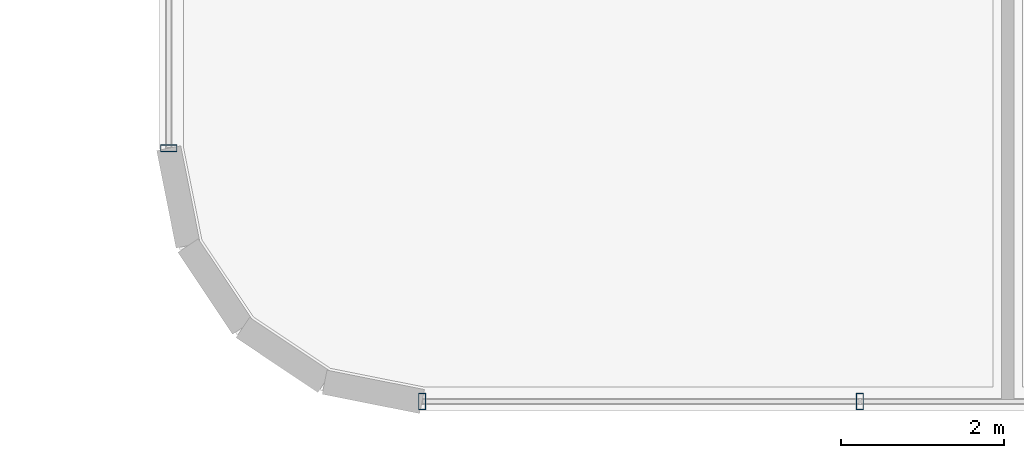
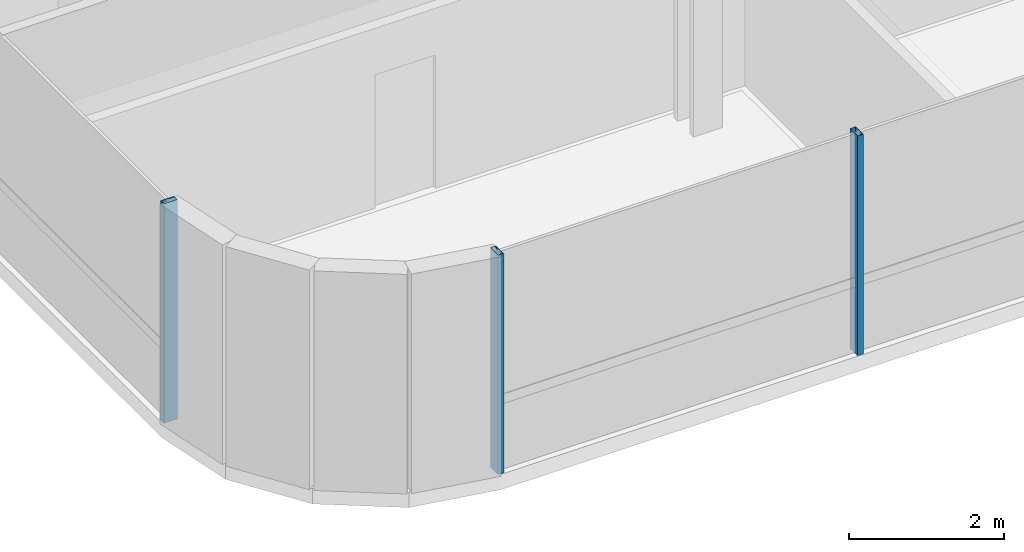
# One storey, part 2 of 38: 3 members, 2 elements without a shape of their own.
"""IFC4 building model written with IfcOpenShell, lengths in metres."""

from ifc_helpers import new_model, si_unit, direction, frame, origin, origin_2d, place, context, subcontext, project, spatial, hollow_rectangle, extrude, source, transform, mapped, material, material_profile, profile_set, type_object, element, aggregate, save


model = new_model("IFC4")

# Units and contexts
model_context = context("Model", 3, precision=1e-05, world=origin(), true_north=direction((0.0, 1.0)))
body_context = subcontext(model_context, "Body", "Model", "MODEL_VIEW")
ifc_project = project(units=[si_unit("LENGTHUNIT", "METRE"), si_unit("AREAUNIT", "SQUARE_METRE"), si_unit("VOLUMEUNIT", "CUBIC_METRE"), si_unit("PLANEANGLEUNIT", "RADIAN"), si_unit("MASSUNIT", "GRAM", prefix="KILO")], contexts=[model_context])

# Site, building, storey
site_placement = place(None, origin())
site = spatial("IfcSite", under=ifc_project, at=site_placement, CompositionType="ELEMENT")
building_placement = place(site_placement, origin())
building = spatial("IfcBuilding", under=site, at=building_placement, Name="Valdorenza Pilgrim Sanctuary Tower", CompositionType="ELEMENT")
storey_placement = place(building_placement, frame((0.0, 0.0, 37.10009765625)))
storey = spatial("IfcBuildingStorey", under=building, at=storey_placement, Name="L08", CompositionType="ELEMENT", Elevation=37.10009765625)

# Curtain wall, member
ifc_material_1 = material(Name="Curtain-wall IGU glazing", Category="glass")
curtain_wall_type = type_object("IfcCurtainWallType", Name="CW-SYS-02", PredefinedType="NOTDEFINED", material=ifc_material_1)
curtain_wall_1_placement = place(storey_placement, origin())
curtain_wall_1 = element("IfcCurtainWall", 1, at=curtain_wall_1_placement, inside=storey, type_object=curtain_wall_type, Name="L08 Curtain Wall CW-L08-1-1S1", PredefinedType="NOTDEFINED")
ifc_material_2 = material(Name="Anodised aluminium AW-6060", Category="aluminium")
ifc_material_profile = material_profile(ifc_material_2, hollow_rectangle(XDim=0.0849609375, YDim=0.199951171875, WallThickness=0.0048828125, at=origin_2d()), Name="ALU-M 200x85x5")
ifc_profile_set = profile_set([ifc_material_profile], Name="Anodised aluminium AW-6060")
member_type = type_object("IfcMemberType", Name="CW-MUL-02", PredefinedType="MULLION", material=ifc_profile_set)
shared_shape = source(origin(), body_context, "Body", "SweptSolid", [
    extrude(hollow_rectangle(XDim=0.0849609375, YDim=0.199951171875, WallThickness=0.0048828125, at=origin_2d()), origin(), (0.0, 0.0, 1.0), 3.4599609375),
])
member_1_placement = place(storey_placement, frame((-31.889892578125, -15.789306640625, 0.0), z_axis=(0.0, 0.0, 1.0), x_axis=(0.0, 1.0, 0.0)))
member_1 = element("IfcMember", 2, at=member_1_placement, type_object=member_type, Name="CW-L08-1-1S1 Mullion 1", PredefinedType="MULLION", context=body_context, shape_type="MappedRepresentation", body=[
    mapped(shared_shape, transform((0.0, 0.0, 0.0), x_axis=(1.0, 0.0, 0.0), y_axis=(0.0, 1.0, 0.0), z_axis=(0.0, 0.0, 1.0), scale=1.0)),
])
aggregate(curtain_wall_1, [member_1])

# Curtain wall, members
curtain_wall_2_placement = place(storey_placement, origin())
curtain_wall_2 = element("IfcCurtainWall", 3, at=curtain_wall_2_placement, inside=storey, type_object=curtain_wall_type, Name="L08 Curtain Wall CW-L08-1-46", PredefinedType="NOTDEFINED")
member_2_placement = place(storey_placement, frame((-23.4296875, -18.889892578125, 0.0), z_axis=(0.0, 0.0, 1.0), x_axis=(-1.0, 0.0, 0.0)))
member_2 = element("IfcMember", 4, at=member_2_placement, type_object=member_type, Name="CW-L08-1-46 Mullion 3", PredefinedType="MULLION", context=body_context, shape_type="MappedRepresentation", body=[
    mapped(shared_shape, transform((0.0, 0.0, 0.0), x_axis=(1.0, 0.0, 0.0), y_axis=(0.0, 1.0, 0.0), z_axis=(0.0, 0.0, 1.0), scale=1.0)),
])
member_3_placement = place(storey_placement, frame((-28.789306640625, -18.889892578125, 0.0), z_axis=(0.0, 0.0, 1.0), x_axis=(-1.0, 0.0, 0.0)))
member_3 = element("IfcMember", 5, at=member_3_placement, type_object=member_type, Name="CW-L08-1-46 Mullion 4", PredefinedType="MULLION", context=body_context, shape_type="MappedRepresentation", body=[
    mapped(shared_shape, transform((0.0, 0.0, 0.0), x_axis=(1.0, 0.0, 0.0), y_axis=(0.0, 1.0, 0.0), z_axis=(0.0, 0.0, 1.0), scale=1.0)),
])
aggregate(curtain_wall_2, [member_2, member_3])

save(model, "model.ifc")
